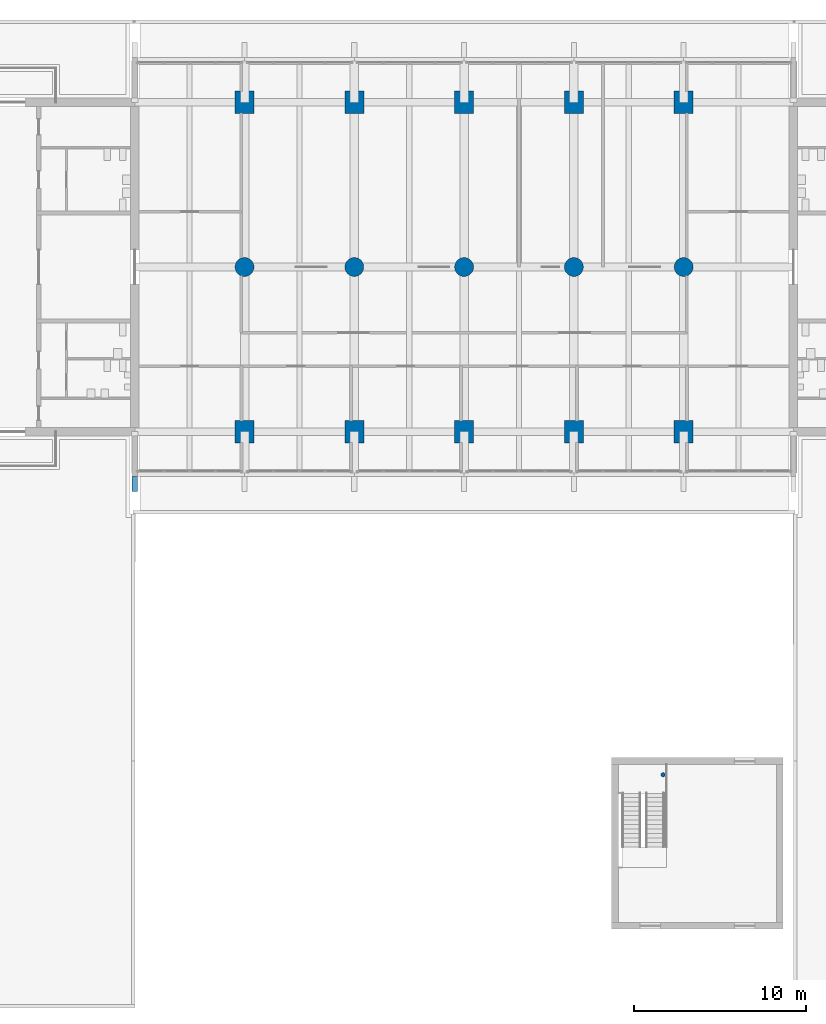
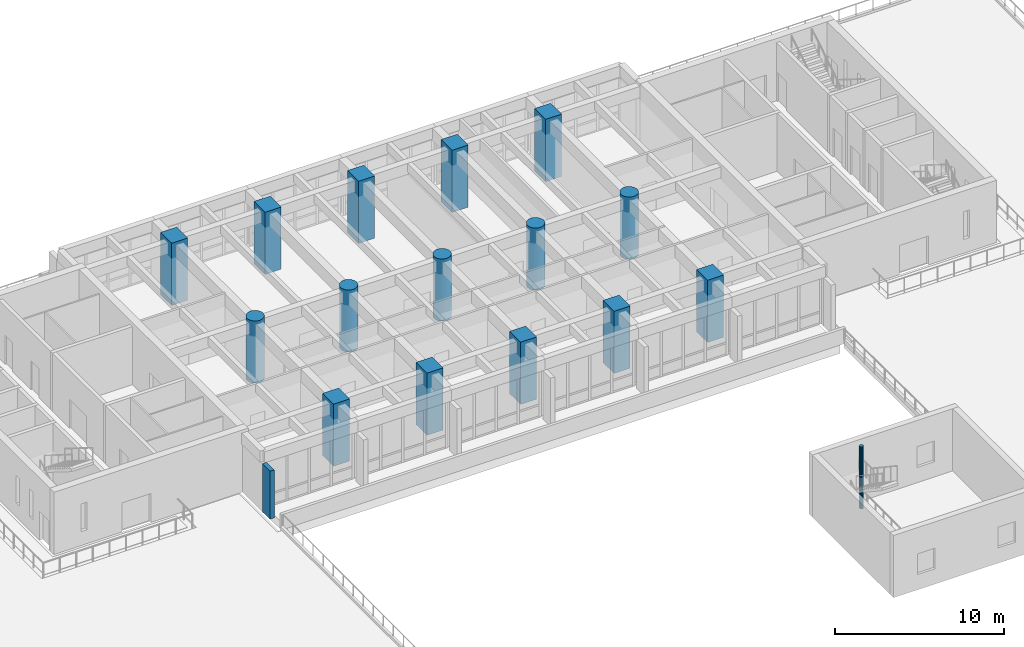
# One storey, part 1 of 21: 16 columns, 1 member.
"""IFC4 building model written with IfcOpenShell, lengths in metres."""

from ifc_helpers import new_model, si_unit, direction, frame, origin, origin_2d, place, context, subcontext, project, spatial, rectangle, circle, extrude, material, material_profile, profile_set, type_object, element, save


model = new_model("IFC4")

# Units and contexts
model_context = context("Model", 3, precision=1e-05, world=origin(), true_north=direction((0.0, 1.0)))
body_context = subcontext(model_context, "Body", "Model", "MODEL_VIEW")
ifc_project = project(units=[si_unit("LENGTHUNIT", "METRE"), si_unit("AREAUNIT", "SQUARE_METRE"), si_unit("VOLUMEUNIT", "CUBIC_METRE"), si_unit("PLANEANGLEUNIT", "RADIAN"), si_unit("MASSUNIT", "GRAM", prefix="KILO")], contexts=[model_context])

# Site, building, storey
site_placement = place(None, origin())
site = spatial("IfcSite", under=ifc_project, at=site_placement, CompositionType="ELEMENT")
building_placement = place(site_placement, origin())
building = spatial("IfcBuilding", under=site, at=building_placement, Name="Fogon Plaza Fire Station and Headquarters Tower", CompositionType="ELEMENT")
storey_placement = place(building_placement, frame((0.0, 0.0, 8.39990234375)))
storey = spatial("IfcBuildingStorey", under=building, at=storey_placement, Name="L02", CompositionType="ELEMENT", Elevation=8.39990234375)

# Columns
ifc_material_1 = material(Name="Concrete C40", Category="concrete")
ifc_material_profile_1 = material_profile(ifc_material_1, rectangle(XDim=1.10009765625, YDim=1.300048828125, at=origin_2d()), Name="RC 1100x1300")
ifc_profile_set_1 = profile_set([ifc_material_profile_1], Name="Concrete C40")
column_type_1 = type_object("IfcColumnType", Name="COLUMN RC 1100x1300", PredefinedType="COLUMN", material=ifc_profile_set_1)
for number, where, z_axis, x_axis, name in (
    (1, (32.0, 33.60009765625, 0.0), (0.0, 0.0, 1.0), (1.0, 0.0, 0.0), "col-L02-4E"),
    (2, (32.0, 52.800048828125, 0.0), (0.0, 0.0, 1.0), (1.0, 0.0, 0.0), "col-L02-4G"),
    (3, (38.39990234375, 33.60009765625, 0.0), (0.0, 0.0, 1.0), (1.0, 0.0, 0.0), "col-L02-5E"),
    (4, (38.39990234375, 52.800048828125, 0.0), (0.0, 0.0, 1.0), (1.0, 0.0, 0.0), "col-L02-5G"),
    (5, (44.800048828125, 33.60009765625, 0.0), (0.0, 0.0, 1.0), (1.0, 0.0, 0.0), "col-L02-6E"),
    (6, (44.800048828125, 52.800048828125, 0.0), (0.0, 0.0, 1.0), (1.0, 0.0, 0.0), "col-L02-6G"),
    (7, (51.199951171875, 33.60009765625, 0.0), (0.0, 0.0, 1.0), (1.0, 0.0, 0.0), "col-L02-7E"),
    (8, (51.199951171875, 52.800048828125, 0.0), (0.0, 0.0, 1.0), (1.0, 0.0, 0.0), "col-L02-7G"),
    (9, (57.60009765625, 33.60009765625, 0.0), (0.0, 0.0, 1.0), (1.0, 0.0, 0.0), "col-L02-8E"),
    (10, (57.60009765625, 52.800048828125, 0.0), (0.0, 0.0, 1.0), (1.0, 0.0, 0.0), "col-L02-8G"),
):
    element("IfcColumn", number, at=place(storey_placement, frame(where, z_axis=z_axis, x_axis=x_axis)), inside=storey, type_object=column_type_1, Name=name, PredefinedType="COLUMN", context=body_context, shape_type="SweptSolid", body=[
        extrude(rectangle(XDim=1.10009765625, YDim=1.300048828125, at=origin_2d()), origin(), (0.0, 0.0, 1.0), 4.5),
    ])
ifc_material_2 = material(Name="Concrete C40", Category="concrete")
ifc_material_profile_2 = material_profile(ifc_material_2, circle(Radius=0.550048828125, at=origin_2d()), Name="RC D1100")
ifc_profile_set_2 = profile_set([ifc_material_profile_2], Name="Concrete C40")
column_type_2 = type_object("IfcColumnType", Name="COLUMN RC D1100", PredefinedType="COLUMN", material=ifc_profile_set_2)
for number, where, z_axis, x_axis, name in (
    (11, (32.0, 43.199951171875, 0.0), (0.0, 0.0, 1.0), (1.0, 0.0, 0.0), "col-L02-4F"),
    (12, (38.39990234375, 43.199951171875, 0.0), (0.0, 0.0, 1.0), (1.0, 0.0, 0.0), "col-L02-5F"),
    (13, (44.800048828125, 43.199951171875, 0.0), (0.0, 0.0, 1.0), (1.0, 0.0, 0.0), "col-L02-6F"),
    (14, (51.199951171875, 43.199951171875, 0.0), (0.0, 0.0, 1.0), (1.0, 0.0, 0.0), "col-L02-7F"),
    (15, (57.60009765625, 43.199951171875, 0.0), (0.0, 0.0, 1.0), (1.0, 0.0, 0.0), "col-L02-8F"),
):
    element("IfcColumn", number, at=place(storey_placement, frame(where, z_axis=z_axis, x_axis=x_axis)), inside=storey, type_object=column_type_2, Name=name, PredefinedType="COLUMN", context=body_context, shape_type="SweptSolid", body=[
        extrude(circle(Radius=0.550048828125, at=origin_2d()), origin(), (0.0, 0.0, 1.0), 4.5),
    ])
ifc_material_3 = material(Name="Concrete C40", Category="concrete")
ifc_material_profile_3 = material_profile(ifc_material_3, circle(Radius=0.125, at=origin_2d()), Name="RC D250")
ifc_profile_set_3 = profile_set([ifc_material_profile_3], Name="Concrete C40")
column_type_3 = type_object("IfcColumnType", Name="COLUMN RC D250", PredefinedType="COLUMN", material=ifc_profile_set_3)
column_placement = place(storey_placement, frame((56.39990234375, 13.60009765625, 0.0), z_axis=(0.0, 0.0, 1.0), x_axis=(1.0, 0.0, 0.0)))
element("IfcColumn", 16, at=column_placement, inside=storey, type_object=column_type_3, Name="Drill stair post L02", PredefinedType="COLUMN", context=body_context, shape_type="SweptSolid", body=[
    extrude(circle(Radius=0.125, at=origin_2d()), origin(), (0.0, 0.0, 1.0), 4.5),
])

# Member
ifc_material_4 = material(Name="Concrete C40 precast", Category="concrete")
ifc_material_profile_4 = material_profile(ifc_material_4, rectangle(XDim=0.300048828125, YDim=0.89990234375, at=origin_2d()), Name="Precast Concrete Post 300x900")
ifc_profile_set_4 = profile_set([ifc_material_profile_4], Name="Concrete C40 precast")
member_type = type_object("IfcMemberType", Name="Precast Concrete Post 300x900", PredefinedType="POST", material=ifc_profile_set_4)
member_placement = place(storey_placement, frame((25.60009765625, 30.550048828125, 0.0), z_axis=(0.0, 0.0, 1.0), x_axis=(1.0, 0.0, 0.0)))
element("IfcMember", 17, at=member_placement, inside=storey, type_object=member_type, Name="Precast Post S L02", PredefinedType="POST", context=body_context, shape_type="SweptSolid", body=[
    extrude(rectangle(XDim=0.300048828125, YDim=0.89990234375, at=origin_2d()), origin(), (0.0, 0.0, 1.0), 3.47998046875),
])

save(model, "model.ifc")
